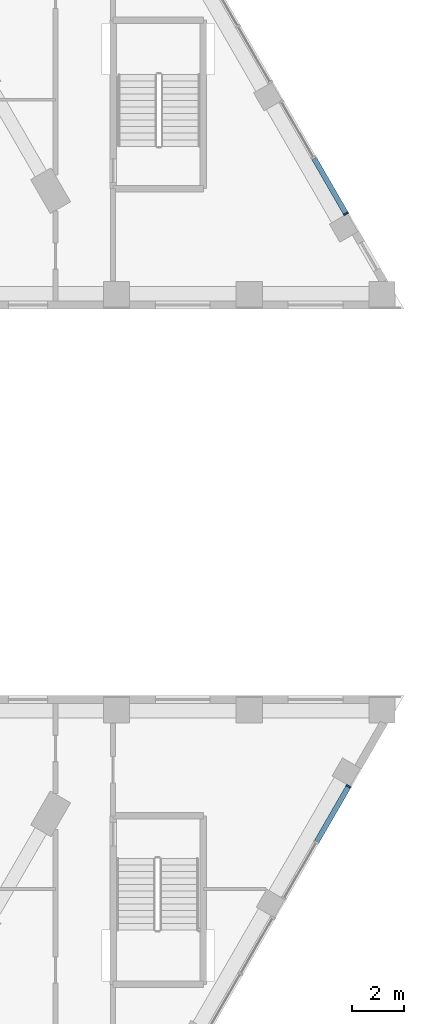
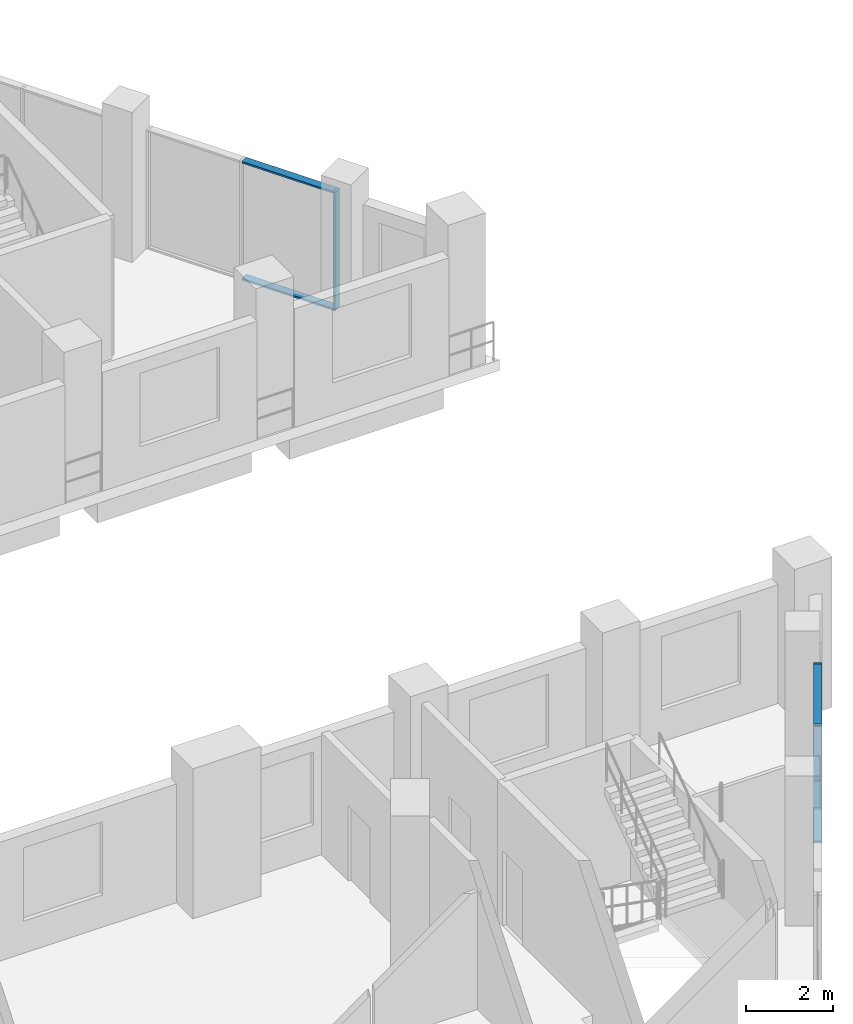
# One storey, part 7 of 22: 6 members, 2 elements without a shape of their own.
"""IFC4 building model written with IfcOpenShell, lengths in metres."""

from ifc_helpers import new_model, si_unit, direction, frame, origin, origin_2d, place, context, subcontext, project, spatial, rectangle, extrude, material, layer, layer_set, material_profile, profile_set, type_object, element, aggregate, save


model = new_model("IFC4")

# Units and contexts
model_context = context("Model", 3, precision=1e-05, world=origin(), true_north=direction((0.0, 1.0)))
body_context = subcontext(model_context, "Body", "Model", "MODEL_VIEW")
ifc_project = project(units=[si_unit("LENGTHUNIT", "METRE"), si_unit("AREAUNIT", "SQUARE_METRE"), si_unit("VOLUMEUNIT", "CUBIC_METRE"), si_unit("PLANEANGLEUNIT", "RADIAN"), si_unit("MASSUNIT", "GRAM", prefix="KILO")], contexts=[model_context])

# Site, building, storey
site_placement = place(None, origin())
site = spatial("IfcSite", under=ifc_project, at=site_placement, CompositionType="ELEMENT")
building_placement = place(site_placement, origin())
building = spatial("IfcBuilding", under=site, at=building_placement, Name="Nakaniwa Court", CompositionType="ELEMENT")
storey_placement = place(building_placement, frame((0.0, 0.0, 24.0)))
storey = spatial("IfcBuildingStorey", under=building, at=storey_placement, Name="L05", CompositionType="ELEMENT", Elevation=24.0)

# Curtain wall, member
ifc_material_1 = material(Name="Black anodised aluminium frame with dark low-E laminated double glazing", Category="aluminium")
ifc_layer = layer(ifc_material_1, 0.199951171875)
ifc_layer_set = layer_set([ifc_layer], Name="Black anodised aluminium frame with dark low-E laminated double glazing")
curtain_wall_type = type_object("IfcCurtainWallType", Name="Podium unitised curtain wall", PredefinedType="NOTDEFINED", material=ifc_layer_set)
curtain_wall_1_placement = place(storey_placement, origin())
curtain_wall_1 = element("IfcCurtainWall", 1, at=curtain_wall_1_placement, inside=storey, type_object=curtain_wall_type, Name="L05 curtain wall CW1 02", PredefinedType="NOTDEFINED")
ifc_material_2 = material(Name="Black anodised aluminium extrusion", Category="aluminium")
ifc_material_profile_1 = material_profile(ifc_material_2, rectangle(XDim=0.199951171875, YDim=0.06494140625, at=origin_2d()), Name="Podium unitised curtain wall mullion 65x200")
ifc_profile_set_1 = profile_set([ifc_material_profile_1], Name="Black anodised aluminium extrusion")
member_type_1 = type_object("IfcMemberType", Name="Podium unitised curtain wall mullion 65x200", PredefinedType="MULLION", material=ifc_profile_set_1)
member_1_placement = place(storey_placement, frame((111.71337890625, 69.129150390625, 0.0), z_axis=(0.0, 0.0, 1.0), x_axis=(-0.866023723106, 0.500002911009, 0.0)))
member_1 = element("IfcMember", 2, at=member_1_placement, type_object=member_type_1, Name="CW1 mullion 3", PredefinedType="MULLION", context=body_context, shape_type="SweptSolid", body=[
    extrude(rectangle(XDim=0.199951171875, YDim=0.06494140625, at=origin_2d()), origin(), (0.0, 0.0, 1.0), 3.324951171875),
])

curtain_wall_2_placement = place(storey_placement, origin())
curtain_wall_2 = element("IfcCurtainWall", 3, at=curtain_wall_2_placement, inside=storey, type_object=curtain_wall_type, Name="L05 curtain wall CW1 40", PredefinedType="NOTDEFINED")
member_2_placement = place(storey_placement, frame((111.612060546875, 91.04638671875, 0.0), z_axis=(0.0, 0.0, 1.0), x_axis=(-0.866032365426, -0.499987941889, 0.0)))
member_2 = element("IfcMember", 4, at=member_2_placement, type_object=member_type_1, Name="CW1 mullion 1", PredefinedType="MULLION", context=body_context, shape_type="SweptSolid", body=[
    extrude(rectangle(XDim=0.199951171875, YDim=0.06494140625, at=origin_2d()), origin(), (0.0, 0.0, 1.0), 3.324951171875),
])

# Member
ifc_material_profile_2 = material_profile(ifc_material_2, rectangle(XDim=0.199951171875, YDim=0.050048828125, at=origin_2d()), Name="Podium unitised curtain wall transom 50x200")
ifc_profile_set_2 = profile_set([ifc_material_profile_2], Name="Black anodised aluminium extrusion")
member_type_2 = type_object("IfcMemberType", Name="Podium unitised curtain wall transom 50x200", PredefinedType="USERDEFINED", material=ifc_profile_set_2)
member_3_placement = place(storey_placement, frame((110.4931640625, 67.015869140625, 0.02490234375), z_axis=(0.499988695522, 0.866031930329, 0.0), x_axis=(-0.866031930329, 0.499988695522, 0.0)))
member_3 = element("IfcMember", 5, at=member_3_placement, type_object=member_type_2, Name="CW1 transom 2.1", ObjectType="TRANSOM", PredefinedType="USERDEFINED", context=body_context, shape_type="SweptSolid", body=[
    extrude(rectangle(XDim=0.199951171875, YDim=0.050048828125, at=origin_2d()), origin(), (0.0, 0.0, 1.0), 2.40771484375),
])

member_4_placement = place(storey_placement, frame((110.4931640625, 67.015869140625, 3.300048828125), z_axis=(0.499988695522, 0.866031930329, 0.0), x_axis=(-0.866031930329, 0.499988695522, 0.0)))
member_4 = element("IfcMember", 6, at=member_4_placement, type_object=member_type_2, Name="CW1 transom 2.2", ObjectType="TRANSOM", PredefinedType="USERDEFINED", context=body_context, shape_type="SweptSolid", body=[
    extrude(rectangle(XDim=0.199951171875, YDim=0.050048828125, at=origin_2d()), origin(), (0.0, 0.0, 1.0), 2.40771484375),
])

aggregate(curtain_wall_1, [member_1, member_3, member_4])

member_5_placement = place(storey_placement, frame((111.595703125, 91.07470703125, 0.02490234375), z_axis=(-0.50003260427, 0.866006578882, 0.0), x_axis=(-0.866006578882, -0.50003260427, 0.0)))
member_5 = element("IfcMember", 7, at=member_5_placement, type_object=member_type_2, Name="CW1 transom 1.1", ObjectType="TRANSOM", PredefinedType="USERDEFINED", context=body_context, shape_type="SweptSolid", body=[
    extrude(rectangle(XDim=0.199951171875, YDim=0.050048828125, at=origin_2d()), origin(), (0.0, 0.0, 1.0), 2.407470703125),
])

member_6_placement = place(storey_placement, frame((111.595703125, 91.07470703125, 3.300048828125), z_axis=(-0.50003260427, 0.866006578882, 0.0), x_axis=(-0.866006578882, -0.50003260427, 0.0)))
member_6 = element("IfcMember", 8, at=member_6_placement, type_object=member_type_2, Name="CW1 transom 1.2", ObjectType="TRANSOM", PredefinedType="USERDEFINED", context=body_context, shape_type="SweptSolid", body=[
    extrude(rectangle(XDim=0.199951171875, YDim=0.050048828125, at=origin_2d()), origin(), (0.0, 0.0, 1.0), 2.407470703125),
])

aggregate(curtain_wall_2, [member_2, member_5, member_6])

save(model, "model.ifc")
